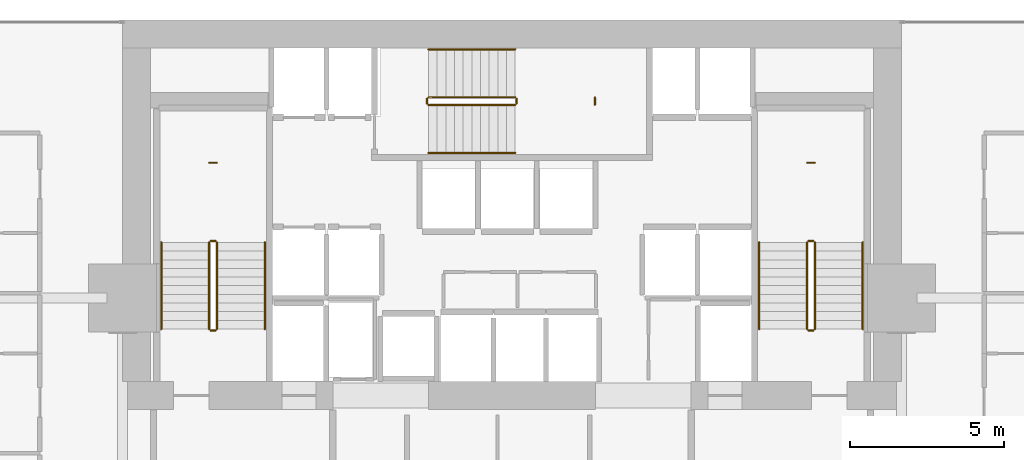
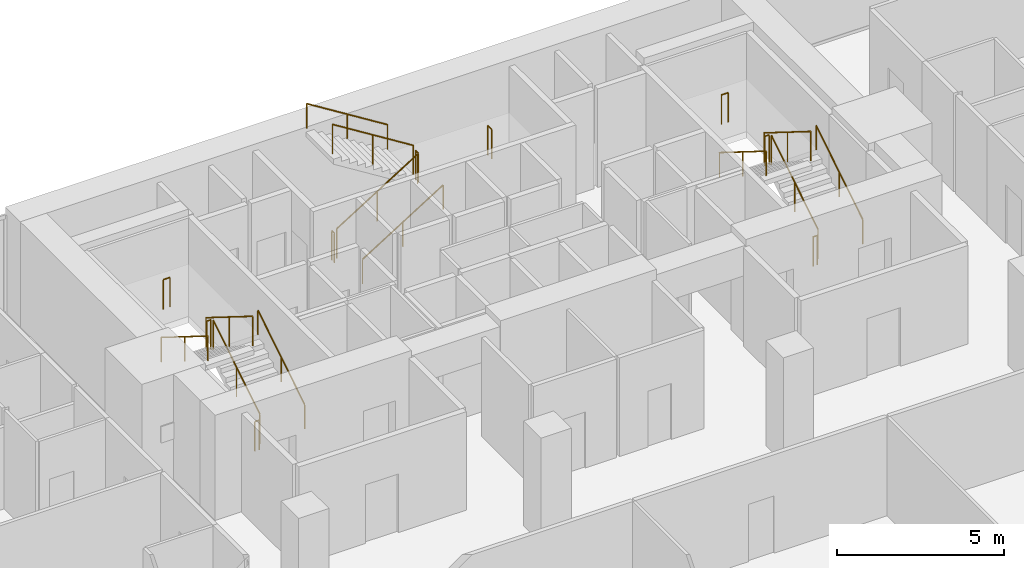
# One storey, part 41 of 41: 21 railings.
"""IFC4 building model written with IfcOpenShell, lengths in metres."""

from ifc_helpers import new_model, si_unit, direction, frame, origin, origin_2d, place, context, subcontext, project, spatial, circle, extrude, material, type_object, element, save


model = new_model("IFC4")

# Units and contexts
model_context = context("Model", 3, precision=1e-05, world=origin(), true_north=direction((0.0, 1.0)))
body_context = subcontext(model_context, "Body", "Model", "MODEL_VIEW")
ifc_project = project(units=[si_unit("LENGTHUNIT", "METRE"), si_unit("AREAUNIT", "SQUARE_METRE"), si_unit("VOLUMEUNIT", "CUBIC_METRE"), si_unit("PLANEANGLEUNIT", "RADIAN"), si_unit("MASSUNIT", "GRAM", prefix="KILO")], contexts=[model_context])

# Site, building, storey
site_placement = place(None, origin())
site = spatial("IfcSite", under=ifc_project, at=site_placement, CompositionType="ELEMENT")
building_placement = place(site_placement, origin())
building = spatial("IfcBuilding", under=site, at=building_placement, Name="Maruvema Waterfront Hotel and Observation Tower", CompositionType="ELEMENT")
storey_placement = place(building_placement, frame((0.0, 0.0, 84.699951171875)))
storey = spatial("IfcBuildingStorey", under=building, at=storey_placement, Name="L20", CompositionType="ELEMENT", Elevation=84.699951171875)

# Railings
ifc_material_1 = material(Name="Brushed stainless steel Grade 316", Category="steel")
railing_type_1 = type_object("IfcRailingType", Name="Ramp Continuous Wall Handrail 920 mm", PredefinedType="HANDRAIL", material=ifc_material_1)
railing_1_placement = place(storey_placement, frame((29.800048828125, 44.0, 0.175048828125)))
element("IfcRailing", 1, at=railing_1_placement, inside=storey, type_object=railing_type_1, Name="L20 ST-01 stair handrail 1", PredefinedType="HANDRAIL", context=body_context, shape_type="SweptSolid", body=[
    extrude(circle(Radius=0.02392578125, at=origin_2d()), frame((0.0, 0.0, 0.89599609375), z_axis=(0.0, 0.848002457836, 0.529992293815), x_axis=(-1.0, 0.0, 0.0)), (0.0, 0.0, 1.0), 3.302001953125),
    extrude(circle(Radius=0.02099609375, at=origin_2d()), origin(), (0.0, 0.0, 1.0), 0.871826171875),
    extrude(circle(Radius=0.02099609375, at=origin_2d()), frame((0.0, 1.39990234375, 0.875)), (0.0, 0.0, 1.0), 0.871826171875),
    extrude(circle(Radius=0.02099609375, at=origin_2d()), frame((0.0, 2.800048828125, 1.75)), (0.0, 0.0, 1.0), 0.871826171875),
])
railing_2_placement = place(storey_placement, frame((26.449951171875, 46.800048828125, 2.10009765625)))
element("IfcRailing", 2, at=railing_2_placement, inside=storey, type_object=railing_type_1, Name="L20 ST-01 stair handrail 2", PredefinedType="HANDRAIL", context=body_context, shape_type="SweptSolid", body=[
    extrude(circle(Radius=0.02392578125, at=origin_2d()), frame((0.0, 0.0, 0.89599609375), z_axis=(0.0, -0.848002457836, 0.529992293815), x_axis=(1.0, 0.0, 0.0)), (0.0, 0.0, 1.0), 3.302001953125),
    extrude(circle(Radius=0.02099609375, at=origin_2d()), origin(), (0.0, 0.0, 1.0), 0.871826171875),
    extrude(circle(Radius=0.02099609375, at=origin_2d()), frame((0.0, -1.39990234375, 0.875)), (0.0, 0.0, 1.0), 0.871826171875),
    extrude(circle(Radius=0.02099609375, at=origin_2d()), frame((0.0, -2.800048828125, 1.75)), (0.0, 0.0, 1.0), 0.871826171875),
])
railing_3_placement = place(storey_placement, frame((35.10009765625, 49.699951171875, 0.175048828125)))
element("IfcRailing", 3, at=railing_3_placement, inside=storey, type_object=railing_type_1, Name="L20 ST-02 stair handrail 1", PredefinedType="HANDRAIL", context=body_context, shape_type="SweptSolid", body=[
    extrude(circle(Radius=0.02392578125, at=origin_2d()), frame((0.0, 0.0, 0.89599609375), z_axis=(0.847981687118, 0.0, 0.530025526095), x_axis=(0.0, 1.0, 0.0)), (0.0, 0.0, 1.0), 3.3017578125),
    extrude(circle(Radius=0.02099609375, at=origin_2d()), origin(), (0.0, 0.0, 1.0), 0.871826171875),
    extrude(circle(Radius=0.02099609375, at=origin_2d()), frame((1.39990234375, 0.0, 0.875)), (0.0, 0.0, 1.0), 0.871826171875),
    extrude(circle(Radius=0.02099609375, at=origin_2d()), frame((2.7998046875, 0.0, 1.75)), (0.0, 0.0, 1.0), 0.871826171875),
])
railing_4_placement = place(storey_placement, frame((37.89990234375, 53.050048828125, 2.10009765625)))
element("IfcRailing", 4, at=railing_4_placement, inside=storey, type_object=railing_type_1, Name="L20 ST-02 stair handrail 2", PredefinedType="HANDRAIL", context=body_context, shape_type="SweptSolid", body=[
    extrude(circle(Radius=0.02392578125, at=origin_2d()), frame((0.0, 0.0, 0.89599609375), z_axis=(-0.847981687118, 0.0, 0.530025526095), x_axis=(0.0, -1.0, 0.0)), (0.0, 0.0, 1.0), 3.3017578125),
    extrude(circle(Radius=0.02099609375, at=origin_2d()), origin(), (0.0, 0.0, 1.0), 0.871826171875),
    extrude(circle(Radius=0.02099609375, at=origin_2d()), frame((-1.39990234375, 0.0, 0.875)), (0.0, 0.0, 1.0), 0.871826171875),
    extrude(circle(Radius=0.02099609375, at=origin_2d()), frame((-2.7998046875, 0.0, 1.75)), (0.0, 0.0, 1.0), 0.871826171875),
])
railing_5_placement = place(storey_placement, frame((49.14990234375, 44.0, 0.175048828125)))
element("IfcRailing", 5, at=railing_5_placement, inside=storey, type_object=railing_type_1, Name="L20 ST-03 stair handrail 1", PredefinedType="HANDRAIL", context=body_context, shape_type="SweptSolid", body=[
    extrude(circle(Radius=0.02392578125, at=origin_2d()), frame((0.0, 0.0, 0.89599609375), z_axis=(0.0, 0.848002457836, 0.529992293815), x_axis=(-1.0, 0.0, 0.0)), (0.0, 0.0, 1.0), 3.302001953125),
    extrude(circle(Radius=0.02099609375, at=origin_2d()), origin(), (0.0, 0.0, 1.0), 0.871826171875),
    extrude(circle(Radius=0.02099609375, at=origin_2d()), frame((0.0, 1.39990234375, 0.875)), (0.0, 0.0, 1.0), 0.871826171875),
    extrude(circle(Radius=0.02099609375, at=origin_2d()), frame((0.0, 2.800048828125, 1.75)), (0.0, 0.0, 1.0), 0.871826171875),
])
railing_6_placement = place(storey_placement, frame((45.800048828125, 46.800048828125, 2.10009765625)))
element("IfcRailing", 6, at=railing_6_placement, inside=storey, type_object=railing_type_1, Name="L20 ST-03 stair handrail 2", PredefinedType="HANDRAIL", context=body_context, shape_type="SweptSolid", body=[
    extrude(circle(Radius=0.02392578125, at=origin_2d()), frame((0.0, 0.0, 0.89599609375), z_axis=(0.0, -0.848002457836, 0.529992293815), x_axis=(1.0, 0.0, 0.0)), (0.0, 0.0, 1.0), 3.302001953125),
    extrude(circle(Radius=0.02099609375, at=origin_2d()), origin(), (0.0, 0.0, 1.0), 0.871826171875),
    extrude(circle(Radius=0.02099609375, at=origin_2d()), frame((0.0, -1.39990234375, 0.875)), (0.0, 0.0, 1.0), 0.871826171875),
    extrude(circle(Radius=0.02099609375, at=origin_2d()), frame((0.0, -2.800048828125, 1.75)), (0.0, 0.0, 1.0), 0.871826171875),
])
ifc_material_2 = material(Name="Brushed stainless steel Grade 316", Category="steel")
railing_type_2 = type_object("IfcRailingType", Name="Ramp and Terrace Guard Balustrade 1100 mm", PredefinedType="BALUSTRADE", material=ifc_material_2)
railing_7_placement = place(storey_placement, frame((28.25, 44.0, 0.175048828125)))
element("IfcRailing", 7, at=railing_7_placement, inside=storey, type_object=railing_type_2, Name="L20 ST-01 stair guard 1", PredefinedType="BALUSTRADE", context=body_context, shape_type="SweptSolid", body=[
    extrude(circle(Radius=0.02392578125, at=origin_2d()), frame((0.0, 0.0, 1.076171875), z_axis=(0.0, 0.848002457836, 0.529992293815), x_axis=(-1.0, 0.0, 0.0)), (0.0, 0.0, 1.0), 3.302001953125),
    extrude(circle(Radius=0.02099609375, at=origin_2d()), origin(), (0.0, 0.0, 1.0), 1.052001953125),
    extrude(circle(Radius=0.02099609375, at=origin_2d()), frame((0.0, 1.39990234375, 0.875)), (0.0, 0.0, 1.0), 1.052001953125),
    extrude(circle(Radius=0.02099609375, at=origin_2d()), frame((0.0, 2.800048828125, 1.75)), (0.0, 0.0, 1.0), 1.052001953125),
])
railing_8_placement = place(storey_placement, frame((28.199951171875, 46.85009765625, 1.925048828125)))
element("IfcRailing", 8, at=railing_8_placement, inside=storey, type_object=railing_type_2, Name="L20 ST-01 stair guard 2", PredefinedType="BALUSTRADE", context=body_context, shape_type="SweptSolid", body=[
    extrude(circle(Radius=0.02392578125, at=origin_2d()), frame((0.0, 0.0, 1.076171875), z_axis=(-1.0, 0.0, 0.0), x_axis=(0.0, -1.0, 0.0)), (0.0, 0.0, 1.0), 0.14990234375),
    extrude(circle(Radius=0.02099609375, at=origin_2d()), origin(), (0.0, 0.0, 1.0), 1.052001953125),
    extrude(circle(Radius=0.02099609375, at=origin_2d()), frame((-0.14990234375, 0.0, 0.0)), (0.0, 0.0, 1.0), 1.052001953125),
])
railing_9_placement = place(storey_placement, frame((28.0, 46.800048828125, 2.10009765625)))
element("IfcRailing", 9, at=railing_9_placement, inside=storey, type_object=railing_type_2, Name="L20 ST-01 stair guard 3", PredefinedType="BALUSTRADE", context=body_context, shape_type="SweptSolid", body=[
    extrude(circle(Radius=0.02392578125, at=origin_2d()), frame((0.0, 0.0, 1.076171875), z_axis=(0.0, -0.848002457836, 0.529992293815), x_axis=(1.0, 0.0, 0.0)), (0.0, 0.0, 1.0), 3.302001953125),
    extrude(circle(Radius=0.02099609375, at=origin_2d()), origin(), (0.0, 0.0, 1.0), 1.052001953125),
    extrude(circle(Radius=0.02099609375, at=origin_2d()), frame((0.0, -1.39990234375, 0.875)), (0.0, 0.0, 1.0), 1.052001953125),
    extrude(circle(Radius=0.02099609375, at=origin_2d()), frame((0.0, -2.800048828125, 1.75)), (0.0, 0.0, 1.0), 1.052001953125),
])
railing_10_placement = place(storey_placement, frame((28.199951171875, 43.949951171875, 0.0)))
element("IfcRailing", 10, at=railing_10_placement, inside=storey, type_object=railing_type_2, Name="L20 ST-01 stair guard 4", PredefinedType="BALUSTRADE", context=body_context, shape_type="SweptSolid", body=[
    extrude(circle(Radius=0.02392578125, at=origin_2d()), frame((0.0, 0.0, 1.076171875), z_axis=(-1.0, 0.0, 0.0), x_axis=(0.0, -1.0, 0.0)), (0.0, 0.0, 1.0), 0.14990234375),
    extrude(circle(Radius=0.02099609375, at=origin_2d()), origin(), (0.0, 0.0, 1.0), 1.052001953125),
    extrude(circle(Radius=0.02099609375, at=origin_2d()), frame((-0.14990234375, 0.0, 0.0)), (0.0, 0.0, 1.0), 1.052001953125),
])
railing_11_placement = place(storey_placement, frame((28.239990234375, 49.3798828125, 1.925048828125)))
element("IfcRailing", 11, at=railing_11_placement, inside=storey, type_object=railing_type_2, Name="L20 ST-01 Half-Landing Slot Guard", PredefinedType="BALUSTRADE", context=body_context, shape_type="SweptSolid", body=[
    extrude(circle(Radius=0.02392578125, at=origin_2d()), frame((0.0, 0.0, 1.076171875), z_axis=(-1.0, 0.0, 0.0), x_axis=(0.0, -1.0, 0.0)), (0.0, 0.0, 1.0), 0.22998046875),
    extrude(circle(Radius=0.02099609375, at=origin_2d()), origin(), (0.0, 0.0, 1.0), 1.052001953125),
    extrude(circle(Radius=0.02099609375, at=origin_2d()), frame((-0.22998046875, 0.0, 0.0)), (0.0, 0.0, 1.0), 1.052001953125),
])
railing_12_placement = place(storey_placement, frame((35.10009765625, 51.25, 0.175048828125)))
element("IfcRailing", 12, at=railing_12_placement, inside=storey, type_object=railing_type_2, Name="L20 ST-02 stair guard 1", PredefinedType="BALUSTRADE", context=body_context, shape_type="SweptSolid", body=[
    extrude(circle(Radius=0.02392578125, at=origin_2d()), frame((0.0, 0.0, 1.076171875), z_axis=(0.847981687118, 0.0, 0.530025526095), x_axis=(0.0, 1.0, 0.0)), (0.0, 0.0, 1.0), 3.3017578125),
    extrude(circle(Radius=0.02099609375, at=origin_2d()), origin(), (0.0, 0.0, 1.0), 1.052001953125),
    extrude(circle(Radius=0.02099609375, at=origin_2d()), frame((1.39990234375, 0.0, 0.875)), (0.0, 0.0, 1.0), 1.052001953125),
    extrude(circle(Radius=0.02099609375, at=origin_2d()), frame((2.7998046875, 0.0, 1.75)), (0.0, 0.0, 1.0), 1.052001953125),
])
railing_13_placement = place(storey_placement, frame((37.949951171875, 51.300048828125, 1.925048828125)))
element("IfcRailing", 13, at=railing_13_placement, inside=storey, type_object=railing_type_2, Name="L20 ST-02 stair guard 2", PredefinedType="BALUSTRADE", context=body_context, shape_type="SweptSolid", body=[
    extrude(circle(Radius=0.02392578125, at=origin_2d()), frame((0.0, 0.0, 1.076171875), z_axis=(0.0, 1.0, 0.0), x_axis=(-1.0, 0.0, 0.0)), (0.0, 0.0, 1.0), 0.14990234375),
    extrude(circle(Radius=0.02099609375, at=origin_2d()), origin(), (0.0, 0.0, 1.0), 1.052001953125),
    extrude(circle(Radius=0.02099609375, at=origin_2d()), frame((0.0, 0.14990234375, 0.0)), (0.0, 0.0, 1.0), 1.052001953125),
])
railing_14_placement = place(storey_placement, frame((37.89990234375, 51.5, 2.10009765625)))
element("IfcRailing", 14, at=railing_14_placement, inside=storey, type_object=railing_type_2, Name="L20 ST-02 stair guard 3", PredefinedType="BALUSTRADE", context=body_context, shape_type="SweptSolid", body=[
    extrude(circle(Radius=0.02392578125, at=origin_2d()), frame((0.0, 0.0, 1.076171875), z_axis=(-0.847981687118, 0.0, 0.530025526095), x_axis=(0.0, -1.0, 0.0)), (0.0, 0.0, 1.0), 3.3017578125),
    extrude(circle(Radius=0.02099609375, at=origin_2d()), origin(), (0.0, 0.0, 1.0), 1.052001953125),
    extrude(circle(Radius=0.02099609375, at=origin_2d()), frame((-1.39990234375, 0.0, 0.875)), (0.0, 0.0, 1.0), 1.052001953125),
    extrude(circle(Radius=0.02099609375, at=origin_2d()), frame((-2.7998046875, 0.0, 1.75)), (0.0, 0.0, 1.0), 1.052001953125),
])
railing_15_placement = place(storey_placement, frame((35.050048828125, 51.300048828125, 0.0)))
element("IfcRailing", 15, at=railing_15_placement, inside=storey, type_object=railing_type_2, Name="L20 ST-02 stair guard 4", PredefinedType="BALUSTRADE", context=body_context, shape_type="SweptSolid", body=[
    extrude(circle(Radius=0.02392578125, at=origin_2d()), frame((0.0, 0.0, 1.076171875), z_axis=(0.0, 1.0, 0.0), x_axis=(-1.0, 0.0, 0.0)), (0.0, 0.0, 1.0), 0.14990234375),
    extrude(circle(Radius=0.02099609375, at=origin_2d()), origin(), (0.0, 0.0, 1.0), 1.052001953125),
    extrude(circle(Radius=0.02099609375, at=origin_2d()), frame((0.0, 0.14990234375, 0.0)), (0.0, 0.0, 1.0), 1.052001953125),
])
railing_16_placement = place(storey_placement, frame((40.47998046875, 51.260009765625, 1.925048828125)))
element("IfcRailing", 16, at=railing_16_placement, inside=storey, type_object=railing_type_2, Name="L20 ST-02 Half-Landing Slot Guard", PredefinedType="BALUSTRADE", context=body_context, shape_type="SweptSolid", body=[
    extrude(circle(Radius=0.02392578125, at=origin_2d()), frame((0.0, 0.0, 1.076171875), z_axis=(0.0, 1.0, 0.0), x_axis=(-1.0, 0.0, 0.0)), (0.0, 0.0, 1.0), 0.22998046875),
    extrude(circle(Radius=0.02099609375, at=origin_2d()), origin(), (0.0, 0.0, 1.0), 1.052001953125),
    extrude(circle(Radius=0.02099609375, at=origin_2d()), frame((0.0, 0.22998046875, 0.0)), (0.0, 0.0, 1.0), 1.052001953125),
])
railing_17_placement = place(storey_placement, frame((47.60009765625, 44.0, 0.175048828125)))
element("IfcRailing", 17, at=railing_17_placement, inside=storey, type_object=railing_type_2, Name="L20 ST-03 stair guard 1", PredefinedType="BALUSTRADE", context=body_context, shape_type="SweptSolid", body=[
    extrude(circle(Radius=0.02392578125, at=origin_2d()), frame((0.0, 0.0, 1.076171875), z_axis=(0.0, 0.848002457836, 0.529992293815), x_axis=(-1.0, 0.0, 0.0)), (0.0, 0.0, 1.0), 3.302001953125),
    extrude(circle(Radius=0.02099609375, at=origin_2d()), origin(), (0.0, 0.0, 1.0), 1.052001953125),
    extrude(circle(Radius=0.02099609375, at=origin_2d()), frame((0.0, 1.39990234375, 0.875)), (0.0, 0.0, 1.0), 1.052001953125),
    extrude(circle(Radius=0.02099609375, at=origin_2d()), frame((0.0, 2.800048828125, 1.75)), (0.0, 0.0, 1.0), 1.052001953125),
])
railing_18_placement = place(storey_placement, frame((47.550048828125, 46.85009765625, 1.925048828125)))
element("IfcRailing", 18, at=railing_18_placement, inside=storey, type_object=railing_type_2, Name="L20 ST-03 stair guard 2", PredefinedType="BALUSTRADE", context=body_context, shape_type="SweptSolid", body=[
    extrude(circle(Radius=0.02392578125, at=origin_2d()), frame((0.0, 0.0, 1.076171875), z_axis=(-1.0, 0.0, 0.0), x_axis=(0.0, -1.0, 0.0)), (0.0, 0.0, 1.0), 0.150146484375),
    extrude(circle(Radius=0.02099609375, at=origin_2d()), origin(), (0.0, 0.0, 1.0), 1.052001953125),
    extrude(circle(Radius=0.02099609375, at=origin_2d()), frame((-0.150146484375, 0.0, 0.0)), (0.0, 0.0, 1.0), 1.052001953125),
])
railing_19_placement = place(storey_placement, frame((47.35009765625, 46.800048828125, 2.10009765625)))
element("IfcRailing", 19, at=railing_19_placement, inside=storey, type_object=railing_type_2, Name="L20 ST-03 stair guard 3", PredefinedType="BALUSTRADE", context=body_context, shape_type="SweptSolid", body=[
    extrude(circle(Radius=0.02392578125, at=origin_2d()), frame((0.0, 0.0, 1.076171875), z_axis=(0.0, -0.848002457836, 0.529992293815), x_axis=(1.0, 0.0, 0.0)), (0.0, 0.0, 1.0), 3.302001953125),
    extrude(circle(Radius=0.02099609375, at=origin_2d()), origin(), (0.0, 0.0, 1.0), 1.052001953125),
    extrude(circle(Radius=0.02099609375, at=origin_2d()), frame((0.0, -1.39990234375, 0.875)), (0.0, 0.0, 1.0), 1.052001953125),
    extrude(circle(Radius=0.02099609375, at=origin_2d()), frame((0.0, -2.800048828125, 1.75)), (0.0, 0.0, 1.0), 1.052001953125),
])
railing_20_placement = place(storey_placement, frame((47.550048828125, 43.949951171875, 0.0)))
element("IfcRailing", 20, at=railing_20_placement, inside=storey, type_object=railing_type_2, Name="L20 ST-03 stair guard 4", PredefinedType="BALUSTRADE", context=body_context, shape_type="SweptSolid", body=[
    extrude(circle(Radius=0.02392578125, at=origin_2d()), frame((0.0, 0.0, 1.076171875), z_axis=(-1.0, 0.0, 0.0), x_axis=(0.0, -1.0, 0.0)), (0.0, 0.0, 1.0), 0.150146484375),
    extrude(circle(Radius=0.02099609375, at=origin_2d()), origin(), (0.0, 0.0, 1.0), 1.052001953125),
    extrude(circle(Radius=0.02099609375, at=origin_2d()), frame((-0.150146484375, 0.0, 0.0)), (0.0, 0.0, 1.0), 1.052001953125),
])
railing_21_placement = place(storey_placement, frame((47.590087890625, 49.3798828125, 1.925048828125)))
element("IfcRailing", 21, at=railing_21_placement, inside=storey, type_object=railing_type_2, Name="L20 ST-03 Half-Landing Slot Guard", PredefinedType="BALUSTRADE", context=body_context, shape_type="SweptSolid", body=[
    extrude(circle(Radius=0.02392578125, at=origin_2d()), frame((0.0, 0.0, 1.076171875), z_axis=(-1.0, 0.0, 0.0), x_axis=(0.0, -1.0, 0.0)), (0.0, 0.0, 1.0), 0.22998046875),
    extrude(circle(Radius=0.02099609375, at=origin_2d()), origin(), (0.0, 0.0, 1.0), 1.052001953125),
    extrude(circle(Radius=0.02099609375, at=origin_2d()), frame((-0.22998046875, 0.0, 0.0)), (0.0, 0.0, 1.0), 1.052001953125),
])

save(model, "model.ifc")
